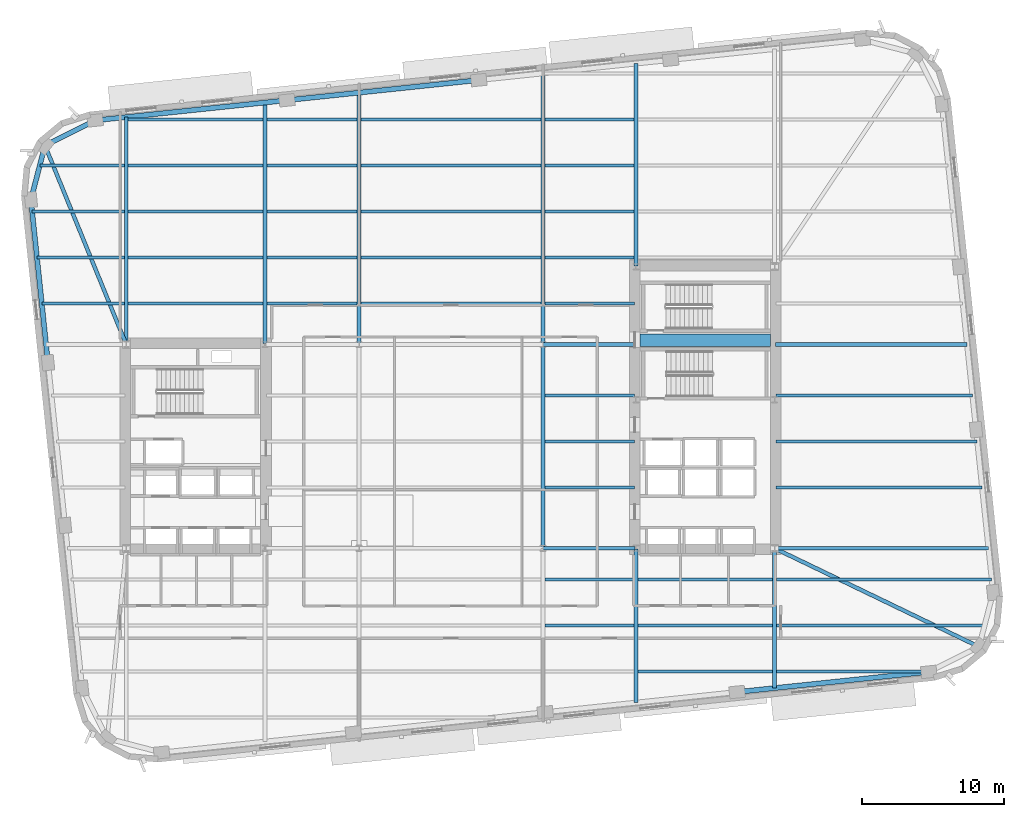
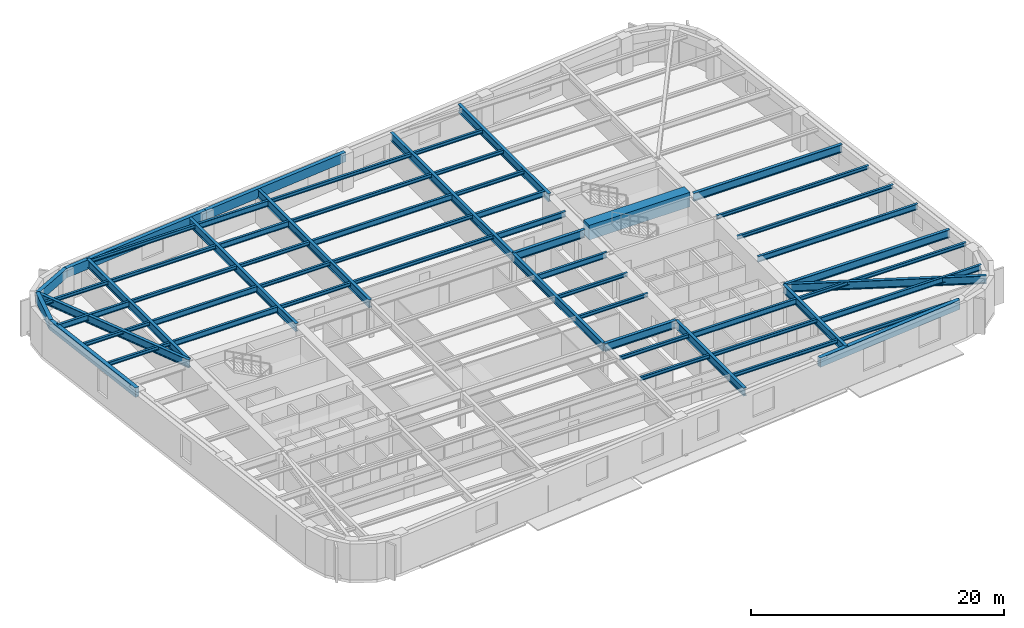
# One storey, part 2 of 14: 59 beams.
"""IFC4 building model written with IfcOpenShell, lengths in metres."""

from ifc_helpers import new_model, si_unit, direction, frame, origin, origin_2d, place, context, subcontext, project, spatial, rectangle, hollow_rectangle, i_section, extrude, material, material_profile, profile_set, type_object, element, save


model = new_model("IFC4")

# Units and contexts
model_context = context("Model", 3, precision=1e-05, world=origin(), true_north=direction((0.0, 1.0)))
body_context = subcontext(model_context, "Body", "Model", "MODEL_VIEW")
ifc_project = project(units=[si_unit("LENGTHUNIT", "METRE"), si_unit("AREAUNIT", "SQUARE_METRE"), si_unit("VOLUMEUNIT", "CUBIC_METRE"), si_unit("PLANEANGLEUNIT", "RADIAN"), si_unit("MASSUNIT", "GRAM", prefix="KILO")], contexts=[model_context])

# Site, building, storey
site_placement = place(None, origin())
site = spatial("IfcSite", under=ifc_project, at=site_placement, CompositionType="ELEMENT")
building_placement = place(site_placement, origin())
building = spatial("IfcBuilding", under=site, at=building_placement, Name="Kolvaren Arena Tower", CompositionType="ELEMENT")
storey_placement = place(building_placement, frame((0.0, 0.0, 130.75)))
storey = spatial("IfcBuildingStorey", under=building, at=storey_placement, Name="L30", CompositionType="ELEMENT", Elevation=130.75)

# Beams
ifc_material_1 = material(Name="Steel CSA G40.21 350W", Category="steel")
ifc_material_profile_1 = material_profile(ifc_material_1, i_section(OverallWidth=0.2119140625, OverallDepth=0.54296875, WebThickness=0.01318359375, FlangeThickness=0.0244140625, FilletRadius=0.013916015625, at=origin_2d()), Name="W530x150")
ifc_profile_set_1 = profile_set([ifc_material_profile_1], Name="Steel CSA G40.21 350W")
beam_type_1 = type_object("IfcBeamType", Name="BEAM-F1", PredefinedType="BEAM", material=ifc_profile_set_1)
beam_1_placement = place(storey_placement, frame((60.485107421875, 14.0, 3.20849609375), z_axis=(1.0, 0.0, 0.0), x_axis=(0.0, 1.0, 0.0)))
element("IfcBeam", 1, at=beam_1_placement, inside=storey, type_object=beam_type_1, Name="Composite Floor Beam (L30)", PredefinedType="BEAM", context=body_context, shape_type="SweptSolid", body=[
    extrude(i_section(OverallWidth=0.2119140625, OverallDepth=0.54296875, WebThickness=0.01318359375, FlangeThickness=0.0244140625, FilletRadius=0.013916015625, at=origin_2d()), origin(), (0.0, 0.0, 1.0), 14.69677734375),
])
beam_2_placement = place(storey_placement, frame((50.68505859375, 17.25, 3.20849609375), z_axis=(1.0, 0.0, 0.0), x_axis=(0.0, 1.0, 0.0)))
element("IfcBeam", 2, at=beam_2_placement, inside=storey, type_object=beam_type_1, Name="Composite Floor Beam (L30)", PredefinedType="BEAM", context=body_context, shape_type="SweptSolid", body=[
    extrude(i_section(OverallWidth=0.2119140625, OverallDepth=0.54296875, WebThickness=0.01318359375, FlangeThickness=0.0244140625, FilletRadius=0.013916015625, at=origin_2d()), origin(), (0.0, 0.0, 1.0), 9.530029296875),
])
beam_3_placement = place(storey_placement, frame((60.445068359375, 23.75, 3.20849609375), z_axis=(1.0, 0.0, 0.0), x_axis=(0.0, 1.0, 0.0)))
element("IfcBeam", 3, at=beam_3_placement, inside=storey, type_object=beam_type_1, Name="Composite Floor Beam (L30)", PredefinedType="BEAM", context=body_context, shape_type="SweptSolid", body=[
    extrude(i_section(OverallWidth=0.2119140625, OverallDepth=0.54296875, WebThickness=0.01318359375, FlangeThickness=0.0244140625, FilletRadius=0.013916015625, at=origin_2d()), origin(), (0.0, 0.0, 1.0), 14.56103515625),
])
beam_4_placement = place(storey_placement, frame((44.135009765625, 30.25, 3.20849609375), z_axis=(1.0, 0.0, 0.0), x_axis=(0.0, 1.0, 0.0)))
element("IfcBeam", 4, at=beam_4_placement, inside=storey, type_object=beam_type_1, Name="Composite Floor Beam (L30)", PredefinedType="BEAM", context=body_context, shape_type="SweptSolid", body=[
    extrude(i_section(OverallWidth=0.2119140625, OverallDepth=0.54296875, WebThickness=0.01318359375, FlangeThickness=0.0244140625, FilletRadius=0.013916015625, at=origin_2d()), origin(), (0.0, 0.0, 1.0), 6.320068359375),
])
beam_5_placement = place(storey_placement, frame((14.68505859375, 36.75, 3.20849609375), z_axis=(1.0, 0.0, 0.0), x_axis=(0.0, 1.0, 0.0)))
element("IfcBeam", 5, at=beam_5_placement, inside=storey, type_object=beam_type_1, Name="Composite Floor Beam (L30)", PredefinedType="BEAM", context=body_context, shape_type="SweptSolid", body=[
    extrude(i_section(OverallWidth=0.2119140625, OverallDepth=0.54296875, WebThickness=0.01318359375, FlangeThickness=0.0244140625, FilletRadius=0.013916015625, at=origin_2d()), origin(), (0.0, 0.0, 1.0), 9.530029296875),
])
beam_6_placement = place(storey_placement, frame((44.135009765625, 36.75, 3.20849609375), z_axis=(1.0, 0.0, 0.0), x_axis=(0.0, 1.0, 0.0)))
element("IfcBeam", 6, at=beam_6_placement, inside=storey, type_object=beam_type_1, Name="Composite Floor Beam (L30)", PredefinedType="BEAM", context=body_context, shape_type="SweptSolid", body=[
    extrude(i_section(OverallWidth=0.2119140625, OverallDepth=0.54296875, WebThickness=0.01318359375, FlangeThickness=0.0244140625, FilletRadius=0.013916015625, at=origin_2d()), origin(), (0.0, 0.0, 1.0), 6.320068359375),
])
beam_7_placement = place(storey_placement, frame((14.68505859375, 40.0, 3.20849609375), z_axis=(1.0, 0.0, 0.0), x_axis=(0.0, 1.0, 0.0)))
element("IfcBeam", 7, at=beam_7_placement, inside=storey, type_object=beam_type_1, Name="Composite Floor Beam (L30)", PredefinedType="BEAM", context=body_context, shape_type="SweptSolid", body=[
    extrude(i_section(OverallWidth=0.2119140625, OverallDepth=0.54296875, WebThickness=0.01318359375, FlangeThickness=0.0244140625, FilletRadius=0.013916015625, at=origin_2d()), origin(), (0.0, 0.0, 1.0), 9.530029296875),
])
beam_8_placement = place(storey_placement, frame((44.135009765625, 40.0, 3.20849609375), z_axis=(1.0, 0.0, 0.0), x_axis=(0.0, 1.0, 0.0)))
element("IfcBeam", 8, at=beam_8_placement, inside=storey, type_object=beam_type_1, Name="Composite Floor Beam (L30)", PredefinedType="BEAM", context=body_context, shape_type="SweptSolid", body=[
    extrude(i_section(OverallWidth=0.2119140625, OverallDepth=0.54296875, WebThickness=0.01318359375, FlangeThickness=0.0244140625, FilletRadius=0.013916015625, at=origin_2d()), origin(), (0.0, 0.0, 1.0), 6.280029296875),
])
beam_9_placement = place(storey_placement, frame((7.900146484375, 43.25, 3.20849609375), z_axis=(1.0, 0.0, 0.0), x_axis=(0.0, 1.0, 0.0)))
element("IfcBeam", 9, at=beam_9_placement, inside=storey, type_object=beam_type_1, Name="Composite Floor Beam (L30)", PredefinedType="BEAM", context=body_context, shape_type="SweptSolid", body=[
    extrude(i_section(OverallWidth=0.2119140625, OverallDepth=0.54296875, WebThickness=0.01318359375, FlangeThickness=0.0244140625, FilletRadius=0.013916015625, at=origin_2d()), origin(), (0.0, 0.0, 1.0), 6.514892578125),
])
beam_10_placement = place(storey_placement, frame((31.135009765625, 43.25, 3.20849609375), z_axis=(1.0, 0.0, 0.0), x_axis=(0.0, 1.0, 0.0)))
element("IfcBeam", 10, at=beam_10_placement, inside=storey, type_object=beam_type_1, Name="Composite Floor Beam (L30)", PredefinedType="BEAM", context=body_context, shape_type="SweptSolid", body=[
    extrude(i_section(OverallWidth=0.2119140625, OverallDepth=0.54296875, WebThickness=0.01318359375, FlangeThickness=0.0244140625, FilletRadius=0.013916015625, at=origin_2d()), origin(), (0.0, 0.0, 1.0), 12.72998046875),
])
for number, where, z_axis, x_axis, name in (
    (11, (24.485107421875, 46.5, 3.20849609375), (1.0, 0.0, 0.0), (0.0, 1.0, 0.0), "Composite Floor Beam (L30)"),
    (12, (24.485107421875, 49.75, 3.20849609375), (1.0, 0.0, 0.0), (0.0, 1.0, 0.0), "Composite Floor Beam (L30)"),
):
    element("IfcBeam", number, at=place(storey_placement, frame(where, z_axis=z_axis, x_axis=x_axis)), inside=storey, type_object=beam_type_1, Name=name, PredefinedType="BEAM", context=body_context, shape_type="SweptSolid", body=[
        extrude(i_section(OverallWidth=0.2119140625, OverallDepth=0.54296875, WebThickness=0.01318359375, FlangeThickness=0.0244140625, FilletRadius=0.013916015625, at=origin_2d()), origin(), (0.0, 0.0, 1.0), 6.3798828125),
    ])
ifc_material_2 = material(Name="Concrete 75 MPa", Category="concrete")
ifc_material_profile_2 = material_profile(ifc_material_2, rectangle(XDim=0.89990234375, YDim=1.39990234375, at=origin_2d()), Name="RC-900x1400")
ifc_profile_set_2 = profile_set([ifc_material_profile_2], Name="Concrete 75 MPa")
beam_type_2 = type_object("IfcBeamType", Name="CB-CORE-1", PredefinedType="BEAM", material=ifc_profile_set_2)
beam_11_placement = place(storey_placement, frame((50.85009765625, 34.14990234375, 3.050048828125), z_axis=(1.0, 0.0, 0.0), x_axis=(0.0, 1.0, 0.0)))
element("IfcBeam", 13, at=beam_11_placement, inside=storey, type_object=beam_type_2, Name="East Core Coupling Beam (L30)", PredefinedType="BEAM", context=body_context, shape_type="SweptSolid", body=[
    extrude(rectangle(XDim=0.89990234375, YDim=1.39990234375, at=origin_2d()), origin(), (0.0, 0.0, 1.0), 9.199951171875),
])
ifc_material_profile_3 = material_profile(ifc_material_1, i_section(OverallWidth=0.27001953125, OverallDepth=0.77294921875, WebThickness=0.019287109375, FlangeThickness=0.033447265625, FilletRadius=0.01806640625, at=origin_2d()), Name="W760x257")
ifc_profile_set_3 = profile_set([ifc_material_profile_3], Name="Steel CSA G40.21 350W")
beam_type_3 = type_object("IfcBeamType", Name="GIRD-T1", PredefinedType="BEAM", material=ifc_profile_set_3)
beam_12_placement = place(storey_placement, frame((74.790283203125, 12.49267578125, 3.093505859375), z_axis=(-0.900889626424, 0.43404824732, 0.0), x_axis=(-0.43404824732, -0.900889626424, 0.0)))
element("IfcBeam", 14, at=beam_12_placement, inside=storey, type_object=beam_type_3, Name="Corner Diagonal Tie Girder (L30)", PredefinedType="BEAM", context=body_context, shape_type="SweptSolid", body=[
    extrude(i_section(OverallWidth=0.27001953125, OverallDepth=0.77294921875, WebThickness=0.019287109375, FlangeThickness=0.033447265625, FilletRadius=0.01806640625, at=origin_2d()), origin(), (0.0, 0.0, 1.0), 16.02880859375),
])
beam_13_placement = place(storey_placement, frame((8.8095703125, 47.9072265625, 3.093505859375), z_axis=(0.378059288681, -0.925781385772, 0.0), x_axis=(0.925781385772, 0.378059288681, 0.0)))
element("IfcBeam", 15, at=beam_13_placement, inside=storey, type_object=beam_type_3, Name="Corner Diagonal Tie Girder (L30)", PredefinedType="BEAM", context=body_context, shape_type="SweptSolid", body=[
    extrude(i_section(OverallWidth=0.27001953125, OverallDepth=0.77294921875, WebThickness=0.019287109375, FlangeThickness=0.033447265625, FilletRadius=0.01806640625, at=origin_2d()), origin(), (0.0, 0.0, 1.0), 15.18408203125),
])
beam_14_placement = place(storey_placement, frame((44.0, 19.449951171875, 3.093505859375), z_axis=(1.0, 0.0, 0.0), x_axis=(0.0, 1.0, 0.0)))
element("IfcBeam", 16, at=beam_14_placement, inside=storey, type_object=beam_type_3, Name="Primary Floor Girder (L30)", PredefinedType="BEAM", context=body_context, shape_type="SweptSolid", body=[
    extrude(i_section(OverallWidth=0.27001953125, OverallDepth=0.77294921875, WebThickness=0.019287109375, FlangeThickness=0.033447265625, FilletRadius=0.01806640625, at=origin_2d()), origin(), (0.0, 0.0, 1.0), 6.4951171875),
])
beam_15_placement = place(storey_placement, frame((60.405029296875, 19.449951171875, 3.093505859375), z_axis=(1.0, 0.0, 0.0), x_axis=(0.0, 1.0, 0.0)))
element("IfcBeam", 17, at=beam_15_placement, inside=storey, type_object=beam_type_3, Name="Primary Floor Girder (L30)", PredefinedType="BEAM", context=body_context, shape_type="SweptSolid", body=[
    extrude(i_section(OverallWidth=0.27001953125, OverallDepth=0.77294921875, WebThickness=0.019287109375, FlangeThickness=0.033447265625, FilletRadius=0.01806640625, at=origin_2d()), origin(), (0.0, 0.0, 1.0), 15.052978515625),
])
beam_16_placement = place(storey_placement, frame((44.0, 33.85009765625, 3.093505859375), z_axis=(1.0, 0.0, 0.0), x_axis=(0.0, 1.0, 0.0)))
element("IfcBeam", 18, at=beam_16_placement, inside=storey, type_object=beam_type_3, Name="Primary Floor Girder (L30)", PredefinedType="BEAM", context=body_context, shape_type="SweptSolid", body=[
    extrude(i_section(OverallWidth=0.27001953125, OverallDepth=0.77294921875, WebThickness=0.019287109375, FlangeThickness=0.033447265625, FilletRadius=0.01806640625, at=origin_2d()), origin(), (0.0, 0.0, 1.0), 6.4951171875),
])
beam_17_placement = place(storey_placement, frame((60.405029296875, 33.85009765625, 3.093505859375), z_axis=(1.0, 0.0, 0.0), x_axis=(0.0, 1.0, 0.0)))
element("IfcBeam", 19, at=beam_17_placement, inside=storey, type_object=beam_type_3, Name="Primary Floor Girder (L30)", PredefinedType="BEAM", context=body_context, shape_type="SweptSolid", body=[
    extrude(i_section(OverallWidth=0.27001953125, OverallDepth=0.77294921875, WebThickness=0.019287109375, FlangeThickness=0.033447265625, FilletRadius=0.01806640625, at=origin_2d()), origin(), (0.0, 0.0, 1.0), 13.53955078125),
])
beam_18_placement = place(storey_placement, frame((14.550048828125, 33.905029296875, 3.093505859375), z_axis=(0.0, 1.0, 0.0), x_axis=(-1.0, 0.0, 0.0)))
element("IfcBeam", 20, at=beam_18_placement, inside=storey, type_object=beam_type_3, Name="Primary Floor Girder (L30)", PredefinedType="BEAM", context=body_context, shape_type="SweptSolid", body=[
    extrude(i_section(OverallWidth=0.27001953125, OverallDepth=0.77294921875, WebThickness=0.019287109375, FlangeThickness=0.033447265625, FilletRadius=0.01806640625, at=origin_2d()), origin(), (0.0, 0.0, 1.0), 16.004638671875),
])
beam_19_placement = place(storey_placement, frame((24.35009765625, 33.905029296875, 3.093505859375), z_axis=(0.0, 1.0, 0.0), x_axis=(-1.0, 0.0, 0.0)))
element("IfcBeam", 21, at=beam_19_placement, inside=storey, type_object=beam_type_3, Name="Primary Floor Girder (L30)", PredefinedType="BEAM", context=body_context, shape_type="SweptSolid", body=[
    extrude(i_section(OverallWidth=0.27001953125, OverallDepth=0.77294921875, WebThickness=0.019287109375, FlangeThickness=0.033447265625, FilletRadius=0.01806640625, at=origin_2d()), origin(), (0.0, 0.0, 1.0), 17.03466796875),
])
beam_20_placement = place(storey_placement, frame((31.0, 33.85009765625, 3.093505859375), z_axis=(0.0, 1.0, 0.0), x_axis=(-1.0, 0.0, 0.0)))
element("IfcBeam", 22, at=beam_20_placement, inside=storey, type_object=beam_type_3, Name="Primary Floor Girder (L30)", PredefinedType="BEAM", context=body_context, shape_type="SweptSolid", body=[
    extrude(i_section(OverallWidth=0.27001953125, OverallDepth=0.77294921875, WebThickness=0.019287109375, FlangeThickness=0.033447265625, FilletRadius=0.01806640625, at=origin_2d()), origin(), (0.0, 0.0, 1.0), 17.788330078125),
])
beam_21_placement = place(storey_placement, frame((44.0, 19.449951171875, 3.093505859375), z_axis=(0.0, 1.0, 0.0), x_axis=(-1.0, 0.0, 0.0)))
element("IfcBeam", 23, at=beam_21_placement, inside=storey, type_object=beam_type_3, Name="Primary Floor Girder (L30)", PredefinedType="BEAM", context=body_context, shape_type="SweptSolid", body=[
    extrude(i_section(OverallWidth=0.27001953125, OverallDepth=0.77294921875, WebThickness=0.019287109375, FlangeThickness=0.033447265625, FilletRadius=0.01806640625, at=origin_2d()), origin(), (0.0, 0.0, 1.0), 14.400146484375),
])
beam_22_placement = place(storey_placement, frame((44.0, 33.85009765625, 3.093505859375), z_axis=(0.0, 1.0, 0.0), x_axis=(-1.0, 0.0, 0.0)))
element("IfcBeam", 24, at=beam_22_placement, inside=storey, type_object=beam_type_3, Name="Primary Floor Girder (L30)", PredefinedType="BEAM", context=body_context, shape_type="SweptSolid", body=[
    extrude(i_section(OverallWidth=0.27001953125, OverallDepth=0.77294921875, WebThickness=0.019287109375, FlangeThickness=0.033447265625, FilletRadius=0.01806640625, at=origin_2d()), origin(), (0.0, 0.0, 1.0), 19.15478515625),
])
beam_23_placement = place(storey_placement, frame((50.550048828125, 8.5458984375, 3.093505859375), z_axis=(0.0, 1.0, 0.0), x_axis=(-1.0, 0.0, 0.0)))
element("IfcBeam", 25, at=beam_23_placement, inside=storey, type_object=beam_type_3, Name="Primary Floor Girder (L30)", PredefinedType="BEAM", context=body_context, shape_type="SweptSolid", body=[
    extrude(i_section(OverallWidth=0.27001953125, OverallDepth=0.77294921875, WebThickness=0.019287109375, FlangeThickness=0.033447265625, FilletRadius=0.01806640625, at=origin_2d()), origin(), (0.0, 0.0, 1.0), 10.84912109375),
])
beam_24_placement = place(storey_placement, frame((50.550048828125, 39.405029296875, 3.093505859375), z_axis=(0.0, 1.0, 0.0), x_axis=(-1.0, 0.0, 0.0)))
element("IfcBeam", 26, at=beam_24_placement, inside=storey, type_object=beam_type_3, Name="Primary Floor Girder (L30)", PredefinedType="BEAM", context=body_context, shape_type="SweptSolid", body=[
    extrude(i_section(OverallWidth=0.27001953125, OverallDepth=0.77294921875, WebThickness=0.019287109375, FlangeThickness=0.033447265625, FilletRadius=0.01806640625, at=origin_2d()), origin(), (0.0, 0.0, 1.0), 14.288330078125),
])
beam_25_placement = place(storey_placement, frame((60.35009765625, 9.575927734375, 3.093505859375), z_axis=(0.0, 1.0, 0.0), x_axis=(-1.0, 0.0, 0.0)))
element("IfcBeam", 27, at=beam_25_placement, inside=storey, type_object=beam_type_3, Name="Primary Floor Girder (L30)", PredefinedType="BEAM", context=body_context, shape_type="SweptSolid", body=[
    extrude(i_section(OverallWidth=0.27001953125, OverallDepth=0.77294921875, WebThickness=0.019287109375, FlangeThickness=0.033447265625, FilletRadius=0.01806640625, at=origin_2d()), origin(), (0.0, 0.0, 1.0), 9.819091796875),
])
ifc_material_profile_4 = material_profile(ifc_material_1, i_section(OverallWidth=0.202880859375, OverallDepth=0.346923828125, WebThickness=0.0078125, FlangeThickness=0.013427734375, FilletRadius=0.010986328125, at=origin_2d()), Name="W360x64")
ifc_profile_set_4 = profile_set([ifc_material_profile_4], Name="Steel CSA G40.21 350W")
beam_type_4 = type_object("IfcBeamType", Name="JOIST-01", PredefinedType="JOIST", material=ifc_profile_set_4)
beam_26_placement = place(storey_placement, frame((50.68505859375, 10.75, 3.306396484375), z_axis=(1.0, 0.0, 0.0), x_axis=(0.0, 1.0, 0.0)))
element("IfcBeam", 28, at=beam_26_placement, inside=storey, type_object=beam_type_4, Name="Composite Floor Joist (L30)", PredefinedType="JOIST", context=body_context, shape_type="SweptSolid", body=[
    extrude(i_section(OverallWidth=0.202880859375, OverallDepth=0.346923828125, WebThickness=0.0078125, FlangeThickness=0.013427734375, FilletRadius=0.010986328125, at=origin_2d()), origin(), (0.0, 0.0, 1.0), 9.530029296875),
])
beam_27_placement = place(storey_placement, frame((60.485107421875, 10.75, 3.306396484375), z_axis=(1.0, 0.0, 0.0), x_axis=(0.0, 1.0, 0.0)))
element("IfcBeam", 29, at=beam_27_placement, inside=storey, type_object=beam_type_4, Name="Composite Floor Joist (L30)", PredefinedType="JOIST", context=body_context, shape_type="SweptSolid", body=[
    extrude(i_section(OverallWidth=0.202880859375, OverallDepth=0.346923828125, WebThickness=0.0078125, FlangeThickness=0.013427734375, FilletRadius=0.010986328125, at=origin_2d()), origin(), (0.0, 0.0, 1.0), 10.819580078125),
])
beam_28_placement = place(storey_placement, frame((44.135009765625, 14.0, 3.306396484375), z_axis=(1.0, 0.0, 0.0), x_axis=(0.0, 1.0, 0.0)))
element("IfcBeam", 30, at=beam_28_placement, inside=storey, type_object=beam_type_4, Name="Composite Floor Joist (L30)", PredefinedType="JOIST", context=body_context, shape_type="SweptSolid", body=[
    extrude(i_section(OverallWidth=0.202880859375, OverallDepth=0.346923828125, WebThickness=0.0078125, FlangeThickness=0.013427734375, FilletRadius=0.010986328125, at=origin_2d()), origin(), (0.0, 0.0, 1.0), 6.280029296875),
])
beam_29_placement = place(storey_placement, frame((50.68505859375, 14.0, 3.306396484375), z_axis=(1.0, 0.0, 0.0), x_axis=(0.0, 1.0, 0.0)))
element("IfcBeam", 31, at=beam_29_placement, inside=storey, type_object=beam_type_4, Name="Composite Floor Joist (L30)", PredefinedType="JOIST", context=body_context, shape_type="SweptSolid", body=[
    extrude(i_section(OverallWidth=0.202880859375, OverallDepth=0.346923828125, WebThickness=0.0078125, FlangeThickness=0.013427734375, FilletRadius=0.010986328125, at=origin_2d()), origin(), (0.0, 0.0, 1.0), 9.530029296875),
])
beam_30_placement = place(storey_placement, frame((44.135009765625, 17.25, 3.306396484375), z_axis=(1.0, 0.0, 0.0), x_axis=(0.0, 1.0, 0.0)))
element("IfcBeam", 32, at=beam_30_placement, inside=storey, type_object=beam_type_4, Name="Composite Floor Joist (L30)", PredefinedType="JOIST", context=body_context, shape_type="SweptSolid", body=[
    extrude(i_section(OverallWidth=0.202880859375, OverallDepth=0.346923828125, WebThickness=0.0078125, FlangeThickness=0.013427734375, FilletRadius=0.010986328125, at=origin_2d()), origin(), (0.0, 0.0, 1.0), 6.280029296875),
])
beam_31_placement = place(storey_placement, frame((60.485107421875, 17.25, 3.306396484375), z_axis=(1.0, 0.0, 0.0), x_axis=(0.0, 1.0, 0.0)))
element("IfcBeam", 33, at=beam_31_placement, inside=storey, type_object=beam_type_4, Name="Composite Floor Joist (L30)", PredefinedType="JOIST", context=body_context, shape_type="SweptSolid", body=[
    extrude(i_section(OverallWidth=0.202880859375, OverallDepth=0.346923828125, WebThickness=0.0078125, FlangeThickness=0.013427734375, FilletRadius=0.010986328125, at=origin_2d()), origin(), (0.0, 0.0, 1.0), 15.2041015625),
])
for number, where, z_axis, x_axis, name in (
    (34, (44.135009765625, 23.75, 3.306396484375), (1.0, 0.0, 0.0), (0.0, 1.0, 0.0), "Composite Floor Joist (L30)"),
    (35, (44.135009765625, 27.0, 3.306396484375), (1.0, 0.0, 0.0), (0.0, 1.0, 0.0), "Composite Floor Joist (L30)"),
):
    element("IfcBeam", number, at=place(storey_placement, frame(where, z_axis=z_axis, x_axis=x_axis)), inside=storey, type_object=beam_type_4, Name=name, PredefinedType="JOIST", context=body_context, shape_type="SweptSolid", body=[
        extrude(i_section(OverallWidth=0.202880859375, OverallDepth=0.346923828125, WebThickness=0.0078125, FlangeThickness=0.013427734375, FilletRadius=0.010986328125, at=origin_2d()), origin(), (0.0, 0.0, 1.0), 6.320068359375),
    ])
beam_32_placement = place(storey_placement, frame((60.445068359375, 27.0, 3.306396484375), z_axis=(1.0, 0.0, 0.0), x_axis=(0.0, 1.0, 0.0)))
element("IfcBeam", 36, at=beam_32_placement, inside=storey, type_object=beam_type_4, Name="Composite Floor Joist (L30)", PredefinedType="JOIST", context=body_context, shape_type="SweptSolid", body=[
    extrude(i_section(OverallWidth=0.202880859375, OverallDepth=0.346923828125, WebThickness=0.0078125, FlangeThickness=0.013427734375, FilletRadius=0.010986328125, at=origin_2d()), origin(), (0.0, 0.0, 1.0), 14.219482421875),
])
beam_33_placement = place(storey_placement, frame((60.445068359375, 30.25, 3.306396484375), z_axis=(1.0, 0.0, 0.0), x_axis=(0.0, 1.0, 0.0)))
element("IfcBeam", 37, at=beam_33_placement, inside=storey, type_object=beam_type_4, Name="Composite Floor Joist (L30)", PredefinedType="JOIST", context=body_context, shape_type="SweptSolid", body=[
    extrude(i_section(OverallWidth=0.202880859375, OverallDepth=0.346923828125, WebThickness=0.0078125, FlangeThickness=0.013427734375, FilletRadius=0.010986328125, at=origin_2d()), origin(), (0.0, 0.0, 1.0), 13.8779296875),
])
beam_34_placement = place(storey_placement, frame((8.58349609375, 36.75, 3.306396484375), z_axis=(1.0, 0.0, 0.0), x_axis=(0.0, 1.0, 0.0)))
element("IfcBeam", 38, at=beam_34_placement, inside=storey, type_object=beam_type_4, Name="Composite Floor Joist (L30)", PredefinedType="JOIST", context=body_context, shape_type="SweptSolid", body=[
    extrude(i_section(OverallWidth=0.202880859375, OverallDepth=0.346923828125, WebThickness=0.0078125, FlangeThickness=0.013427734375, FilletRadius=0.010986328125, at=origin_2d()), origin(), (0.0, 0.0, 1.0), 5.83154296875),
])
beam_35_placement = place(storey_placement, frame((24.485107421875, 36.75, 3.306396484375), z_axis=(1.0, 0.0, 0.0), x_axis=(0.0, 1.0, 0.0)))
element("IfcBeam", 39, at=beam_35_placement, inside=storey, type_object=beam_type_4, Name="Composite Floor Joist (L30)", PredefinedType="JOIST", context=body_context, shape_type="SweptSolid", body=[
    extrude(i_section(OverallWidth=0.202880859375, OverallDepth=0.346923828125, WebThickness=0.0078125, FlangeThickness=0.013427734375, FilletRadius=0.010986328125, at=origin_2d()), origin(), (0.0, 0.0, 1.0), 6.3798828125),
])
beam_36_placement = place(storey_placement, frame((31.135009765625, 36.75, 3.306396484375), z_axis=(1.0, 0.0, 0.0), x_axis=(0.0, 1.0, 0.0)))
element("IfcBeam", 40, at=beam_36_placement, inside=storey, type_object=beam_type_4, Name="Composite Floor Joist (L30)", PredefinedType="JOIST", context=body_context, shape_type="SweptSolid", body=[
    extrude(i_section(OverallWidth=0.202880859375, OverallDepth=0.346923828125, WebThickness=0.0078125, FlangeThickness=0.013427734375, FilletRadius=0.010986328125, at=origin_2d()), origin(), (0.0, 0.0, 1.0), 12.72998046875),
])
beam_37_placement = place(storey_placement, frame((8.24169921875, 40.0, 3.306396484375), z_axis=(1.0, 0.0, 0.0), x_axis=(0.0, 1.0, 0.0)))
element("IfcBeam", 41, at=beam_37_placement, inside=storey, type_object=beam_type_4, Name="Composite Floor Joist (L30)", PredefinedType="JOIST", context=body_context, shape_type="SweptSolid", body=[
    extrude(i_section(OverallWidth=0.202880859375, OverallDepth=0.346923828125, WebThickness=0.0078125, FlangeThickness=0.013427734375, FilletRadius=0.010986328125, at=origin_2d()), origin(), (0.0, 0.0, 1.0), 6.17333984375),
])
beam_38_placement = place(storey_placement, frame((24.485107421875, 40.0, 3.306396484375), z_axis=(1.0, 0.0, 0.0), x_axis=(0.0, 1.0, 0.0)))
element("IfcBeam", 42, at=beam_38_placement, inside=storey, type_object=beam_type_4, Name="Composite Floor Joist (L30)", PredefinedType="JOIST", context=body_context, shape_type="SweptSolid", body=[
    extrude(i_section(OverallWidth=0.202880859375, OverallDepth=0.346923828125, WebThickness=0.0078125, FlangeThickness=0.013427734375, FilletRadius=0.010986328125, at=origin_2d()), origin(), (0.0, 0.0, 1.0), 6.3798828125),
])
beam_39_placement = place(storey_placement, frame((31.135009765625, 40.0, 3.306396484375), z_axis=(1.0, 0.0, 0.0), x_axis=(0.0, 1.0, 0.0)))
element("IfcBeam", 43, at=beam_39_placement, inside=storey, type_object=beam_type_4, Name="Composite Floor Joist (L30)", PredefinedType="JOIST", context=body_context, shape_type="SweptSolid", body=[
    extrude(i_section(OverallWidth=0.202880859375, OverallDepth=0.346923828125, WebThickness=0.0078125, FlangeThickness=0.013427734375, FilletRadius=0.010986328125, at=origin_2d()), origin(), (0.0, 0.0, 1.0), 12.72998046875),
])
beam_40_placement = place(storey_placement, frame((14.68505859375, 43.25, 3.306396484375), z_axis=(1.0, 0.0, 0.0), x_axis=(0.0, 1.0, 0.0)))
element("IfcBeam", 44, at=beam_40_placement, inside=storey, type_object=beam_type_4, Name="Composite Floor Joist (L30)", PredefinedType="JOIST", context=body_context, shape_type="SweptSolid", body=[
    extrude(i_section(OverallWidth=0.202880859375, OverallDepth=0.346923828125, WebThickness=0.0078125, FlangeThickness=0.013427734375, FilletRadius=0.010986328125, at=origin_2d()), origin(), (0.0, 0.0, 1.0), 9.530029296875),
])
beam_41_placement = place(storey_placement, frame((24.485107421875, 43.25, 3.306396484375), z_axis=(1.0, 0.0, 0.0), x_axis=(0.0, 1.0, 0.0)))
element("IfcBeam", 45, at=beam_41_placement, inside=storey, type_object=beam_type_4, Name="Composite Floor Joist (L30)", PredefinedType="JOIST", context=body_context, shape_type="SweptSolid", body=[
    extrude(i_section(OverallWidth=0.202880859375, OverallDepth=0.346923828125, WebThickness=0.0078125, FlangeThickness=0.013427734375, FilletRadius=0.010986328125, at=origin_2d()), origin(), (0.0, 0.0, 1.0), 6.3798828125),
])
beam_42_placement = place(storey_placement, frame((44.135009765625, 43.25, 3.306396484375), z_axis=(1.0, 0.0, 0.0), x_axis=(0.0, 1.0, 0.0)))
element("IfcBeam", 46, at=beam_42_placement, inside=storey, type_object=beam_type_4, Name="Composite Floor Joist (L30)", PredefinedType="JOIST", context=body_context, shape_type="SweptSolid", body=[
    extrude(i_section(OverallWidth=0.202880859375, OverallDepth=0.346923828125, WebThickness=0.0078125, FlangeThickness=0.013427734375, FilletRadius=0.010986328125, at=origin_2d()), origin(), (0.0, 0.0, 1.0), 6.280029296875),
])
beam_43_placement = place(storey_placement, frame((8.444091796875, 46.5, 3.306396484375), z_axis=(1.0, 0.0, 0.0), x_axis=(0.0, 1.0, 0.0)))
element("IfcBeam", 47, at=beam_43_placement, inside=storey, type_object=beam_type_4, Name="Composite Floor Joist (L30)", PredefinedType="JOIST", context=body_context, shape_type="SweptSolid", body=[
    extrude(i_section(OverallWidth=0.202880859375, OverallDepth=0.346923828125, WebThickness=0.0078125, FlangeThickness=0.013427734375, FilletRadius=0.010986328125, at=origin_2d()), origin(), (0.0, 0.0, 1.0), 5.970947265625),
])
beam_44_placement = place(storey_placement, frame((14.68505859375, 46.5, 3.306396484375), z_axis=(1.0, 0.0, 0.0), x_axis=(0.0, 1.0, 0.0)))
element("IfcBeam", 48, at=beam_44_placement, inside=storey, type_object=beam_type_4, Name="Composite Floor Joist (L30)", PredefinedType="JOIST", context=body_context, shape_type="SweptSolid", body=[
    extrude(i_section(OverallWidth=0.202880859375, OverallDepth=0.346923828125, WebThickness=0.0078125, FlangeThickness=0.013427734375, FilletRadius=0.010986328125, at=origin_2d()), origin(), (0.0, 0.0, 1.0), 9.530029296875),
])
beam_45_placement = place(storey_placement, frame((31.135009765625, 46.5, 3.306396484375), z_axis=(1.0, 0.0, 0.0), x_axis=(0.0, 1.0, 0.0)))
element("IfcBeam", 49, at=beam_45_placement, inside=storey, type_object=beam_type_4, Name="Composite Floor Joist (L30)", PredefinedType="JOIST", context=body_context, shape_type="SweptSolid", body=[
    extrude(i_section(OverallWidth=0.202880859375, OverallDepth=0.346923828125, WebThickness=0.0078125, FlangeThickness=0.013427734375, FilletRadius=0.010986328125, at=origin_2d()), origin(), (0.0, 0.0, 1.0), 12.72998046875),
])
beam_46_placement = place(storey_placement, frame((44.135009765625, 46.5, 3.306396484375), z_axis=(1.0, 0.0, 0.0), x_axis=(0.0, 1.0, 0.0)))
element("IfcBeam", 50, at=beam_46_placement, inside=storey, type_object=beam_type_4, Name="Composite Floor Joist (L30)", PredefinedType="JOIST", context=body_context, shape_type="SweptSolid", body=[
    extrude(i_section(OverallWidth=0.202880859375, OverallDepth=0.346923828125, WebThickness=0.0078125, FlangeThickness=0.013427734375, FilletRadius=0.010986328125, at=origin_2d()), origin(), (0.0, 0.0, 1.0), 6.280029296875),
])
beam_47_placement = place(storey_placement, frame((14.68505859375, 49.75, 3.306396484375), z_axis=(1.0, 0.0, 0.0), x_axis=(0.0, 1.0, 0.0)))
element("IfcBeam", 51, at=beam_47_placement, inside=storey, type_object=beam_type_4, Name="Composite Floor Joist (L30)", PredefinedType="JOIST", context=body_context, shape_type="SweptSolid", body=[
    extrude(i_section(OverallWidth=0.202880859375, OverallDepth=0.346923828125, WebThickness=0.0078125, FlangeThickness=0.013427734375, FilletRadius=0.010986328125, at=origin_2d()), origin(), (0.0, 0.0, 1.0), 9.530029296875),
])
beam_48_placement = place(storey_placement, frame((31.135009765625, 49.75, 3.306396484375), z_axis=(1.0, 0.0, 0.0), x_axis=(0.0, 1.0, 0.0)))
element("IfcBeam", 52, at=beam_48_placement, inside=storey, type_object=beam_type_4, Name="Composite Floor Joist (L30)", PredefinedType="JOIST", context=body_context, shape_type="SweptSolid", body=[
    extrude(i_section(OverallWidth=0.202880859375, OverallDepth=0.346923828125, WebThickness=0.0078125, FlangeThickness=0.013427734375, FilletRadius=0.010986328125, at=origin_2d()), origin(), (0.0, 0.0, 1.0), 12.72998046875),
])
beam_49_placement = place(storey_placement, frame((44.135009765625, 49.75, 3.306396484375), z_axis=(1.0, 0.0, 0.0), x_axis=(0.0, 1.0, 0.0)))
element("IfcBeam", 53, at=beam_49_placement, inside=storey, type_object=beam_type_4, Name="Composite Floor Joist (L30)", PredefinedType="JOIST", context=body_context, shape_type="SweptSolid", body=[
    extrude(i_section(OverallWidth=0.202880859375, OverallDepth=0.346923828125, WebThickness=0.0078125, FlangeThickness=0.013427734375, FilletRadius=0.010986328125, at=origin_2d()), origin(), (0.0, 0.0, 1.0), 6.280029296875),
])
ifc_material_3 = material(Name="Steel CSA G40.21 350WT", Category="steel")
ifc_material_profile_5 = material_profile(ifc_material_3, hollow_rectangle(XDim=0.35009765625, YDim=0.89990234375, WallThickness=0.02001953125, at=origin_2d()), Name="HSS 900x350x20")
ifc_profile_set_5 = profile_set([ifc_material_profile_5], Name="Steel CSA G40.21 350WT")
beam_type_5 = type_object("IfcBeamType", Name="SPAND-01", PredefinedType="SPANDREL", material=ifc_profile_set_5)
for number, where, z_axis, x_axis, name in (
    (54, (57.697021484375, 9.297119140625, 3.030029296875), (0.994520955135, 0.104537408603, 0.0), (-0.104537408603, 0.994520955135, 0.0), "Perimeter Spandrel Beam (L30)"),
    (55, (39.453369140625, 52.527099609375, 3.030029296875), (-0.994520955135, -0.104537408603, 0.0), (0.104537408603, -0.994520955135, 0.0), "Perimeter Spandrel Beam (L30)"),
):
    element("IfcBeam", number, at=place(storey_placement, frame(where, z_axis=z_axis, x_axis=x_axis)), inside=storey, type_object=beam_type_5, Name=name, PredefinedType="SPANDREL", context=body_context, shape_type="SweptSolid", body=[
        extrude(hollow_rectangle(XDim=0.35009765625, YDim=0.89990234375, WallThickness=0.02001953125, at=origin_2d()), origin(), (0.0, 0.0, 1.0), 13.625),
    ])
beam_50_placement = place(storey_placement, frame((25.903076171875, 51.102783203125, 3.030029296875), z_axis=(-0.994523013632, -0.104517823154, 0.0), x_axis=(0.104517823154, -0.994523013632, 0.0)))
element("IfcBeam", 56, at=beam_50_placement, inside=storey, type_object=beam_type_5, Name="Perimeter Spandrel Beam (L30)", PredefinedType="SPANDREL", context=body_context, shape_type="SweptSolid", body=[
    extrude(hollow_rectangle(XDim=0.35009765625, YDim=0.89990234375, WallThickness=0.02001953125, at=origin_2d()), origin(), (0.0, 0.0, 1.0), 13.625244140625),
])
beam_51_placement = place(storey_placement, frame((12.3525390625, 49.6787109375, 3.030029296875), z_axis=(-0.894427191, -0.4472135955, 0.0), x_axis=(0.4472135955, -0.894427191, 0.0)))
element("IfcBeam", 57, at=beam_51_placement, inside=storey, type_object=beam_type_5, Name="Perimeter Spandrel Beam (L30)", PredefinedType="SPANDREL", context=body_context, shape_type="SweptSolid", body=[
    extrude(hollow_rectangle(XDim=0.35009765625, YDim=0.89990234375, WallThickness=0.02001953125, at=origin_2d()), origin(), (0.0, 0.0, 1.0), 3.961181640625),
])
beam_52_placement = place(storey_placement, frame((8.8095703125, 47.9072265625, 3.030029296875), z_axis=(-0.25141561169, -0.96787922294, 0.0), x_axis=(0.96787922294, -0.25141561169, 0.0)))
element("IfcBeam", 58, at=beam_52_placement, inside=storey, type_object=beam_type_5, Name="Perimeter Spandrel Beam (L30)", PredefinedType="SPANDREL", context=body_context, shape_type="SweptSolid", body=[
    extrude(hollow_rectangle(XDim=0.35009765625, YDim=0.89990234375, WallThickness=0.02001953125, at=origin_2d()), origin(), (0.0, 0.0, 1.0), 3.9609375),
])
beam_53_placement = place(storey_placement, frame((7.813720703125, 44.073486328125, 3.030029296875), z_axis=(0.104524366116, -0.994522325988, 0.0), x_axis=(0.994522325988, 0.104524366116, 0.0)))
element("IfcBeam", 59, at=beam_53_placement, inside=storey, type_object=beam_type_5, Name="Perimeter Spandrel Beam (L30)", PredefinedType="SPANDREL", context=body_context, shape_type="SweptSolid", body=[
    extrude(hollow_rectangle(XDim=0.35009765625, YDim=0.89990234375, WallThickness=0.02001953125, at=origin_2d()), origin(), (0.0, 0.0, 1.0), 11.566650390625),
])

save(model, "model.ifc")
